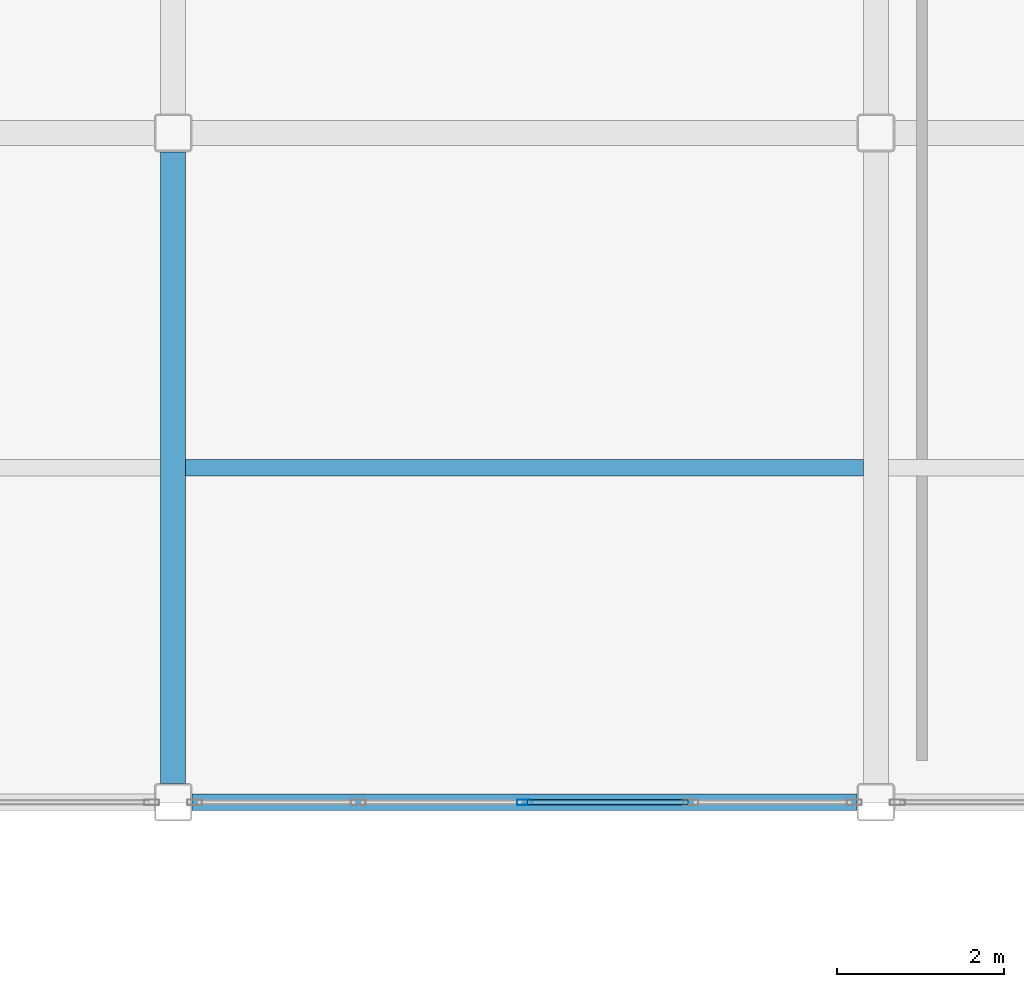
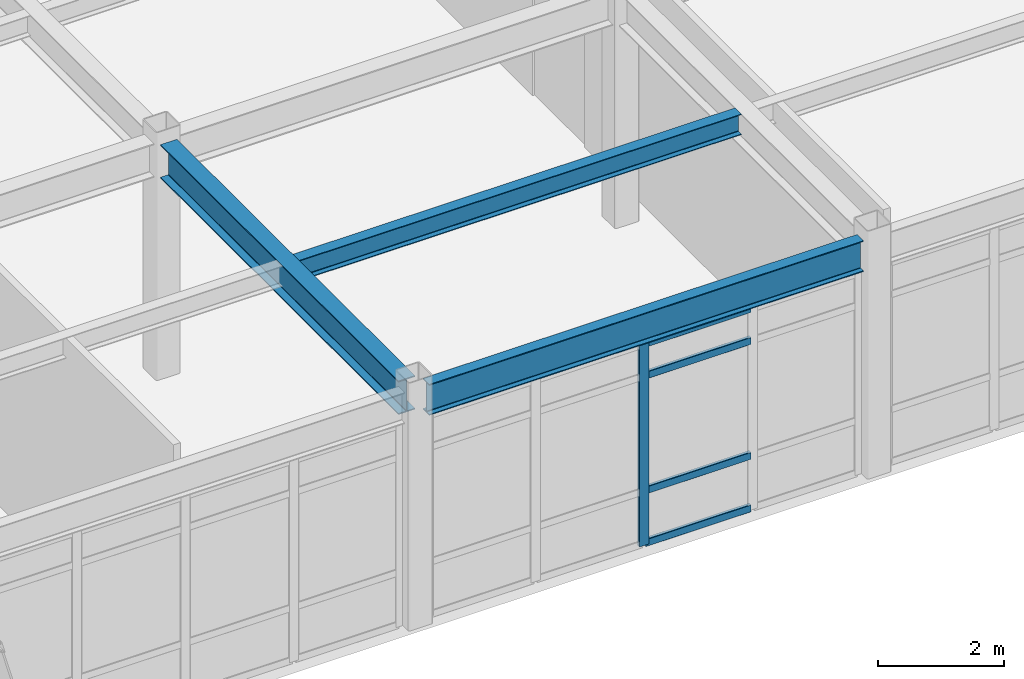
# One storey, part 78 of 172: 5 members, 3 beams, 1 element without a shape of its own.
"""IFC4 building model written with IfcOpenShell, lengths in metres."""

from ifc_helpers import new_model, si_unit, direction, frame, origin, origin_2d, place, context, subcontext, project, spatial, hollow_rectangle, i_section, extrude, material, layer, layer_set, material_profile, profile_set, type_object, element, aggregate, save


model = new_model("IFC4")

# Units and contexts
model_context = context("Model", 3, precision=1e-05, world=origin(), true_north=direction((0.0, 1.0)))
body_context = subcontext(model_context, "Body", "Model", "MODEL_VIEW")
ifc_project = project(units=[si_unit("LENGTHUNIT", "METRE"), si_unit("AREAUNIT", "SQUARE_METRE"), si_unit("VOLUMEUNIT", "CUBIC_METRE"), si_unit("PLANEANGLEUNIT", "RADIAN"), si_unit("MASSUNIT", "GRAM", prefix="KILO")], contexts=[model_context])

# Site, building, storey
site_placement = place(None, origin())
site = spatial("IfcSite", under=ifc_project, at=site_placement, CompositionType="ELEMENT")
building_placement = place(site_placement, origin())
building = spatial("IfcBuilding", under=site, at=building_placement, Name="Kazehara Bluff Congress Hotel", CompositionType="ELEMENT")
storey_placement = place(building_placement, frame((0.0, 0.0, 5.39990234375)))
storey = spatial("IfcBuildingStorey", under=building, at=storey_placement, Name="L01", CompositionType="ELEMENT", Elevation=5.39990234375)

# Curtain wall, members
ifc_material_1 = material(Name="Anodised aluminium", Category="aluminium")
ifc_layer = layer(ifc_material_1, 0.159912109375)
ifc_layer_set = layer_set([ifc_layer], Name="Anodised aluminium")
curtain_wall_type = type_object("IfcCurtainWallType", Name="TP-CW-37", PredefinedType="NOTDEFINED", material=ifc_layer_set)
curtain_wall_placement = place(storey_placement, origin())
curtain_wall = element("IfcCurtainWall", 1, at=curtain_wall_placement, inside=storey, type_object=curtain_wall_type, Name="L01 curtain wall CW-37 CW-V3-L01-Y8090-7628", PredefinedType="NOTDEFINED")
ifc_material_2 = material(Name="Anodised aluminium", Category="aluminium")
ifc_material_profile_1 = material_profile(ifc_material_2, hollow_rectangle(XDim=0.06494140625, YDim=0.179931640625, WallThickness=0.00390625, InnerFilletRadius=0.00390625, OuterFilletRadius=0.008056640625, at=origin_2d()))
ifc_profile_set_1 = profile_set([ifc_material_profile_1], Name="Anodised aluminium")
member_type_1 = type_object("IfcMemberType", Name="TP-CWM-02", PredefinedType="MULLION", material=ifc_profile_set_1)
member_1_placement = place(storey_placement, frame((80.25, 80.89990234375, 0.0), z_axis=(0.0, 0.0, 1.0), x_axis=(0.0, 1.0, 0.0)))
member_1 = element("IfcMember", 2, at=member_1_placement, type_object=member_type_1, Name="CW-37 mullion 3", PredefinedType="MULLION", context=body_context, shape_type="SweptSolid", body=[
    extrude(hollow_rectangle(XDim=0.06494140625, YDim=0.179931640625, WallThickness=0.00390625, InnerFilletRadius=0.00390625, OuterFilletRadius=0.008056640625, at=origin_2d()), origin(), (0.0, 0.0, 1.0), 3.925048828125),
])
ifc_material_3 = material(Name="Anodised aluminium", Category="aluminium")
ifc_material_profile_2 = material_profile(ifc_material_3, hollow_rectangle(XDim=0.06494140625, YDim=0.139892578125, WallThickness=0.00390625, InnerFilletRadius=0.00390625, OuterFilletRadius=0.008056640625, at=origin_2d()))
ifc_profile_set_2 = profile_set([ifc_material_profile_2], Name="Anodised aluminium")
member_type_2 = type_object("IfcMemberType", Name="TP-CWT-02", PredefinedType="USERDEFINED", material=ifc_profile_set_2)
member_2_placement = place(storey_placement, frame((80.282470703125, 80.89990234375, 0.03271484375), z_axis=(1.0, 0.0, 0.0), x_axis=(0.0, 1.0, 0.0)))
member_2 = element("IfcMember", 3, at=member_2_placement, type_object=member_type_2, Name="CW-37 transom 3.1", ObjectType="TRANSOM", PredefinedType="USERDEFINED", context=body_context, shape_type="SweptSolid", body=[
    extrude(hollow_rectangle(XDim=0.06494140625, YDim=0.139892578125, WallThickness=0.00390625, InnerFilletRadius=0.00390625, OuterFilletRadius=0.008056640625, at=origin_2d()), origin(), (0.0, 0.0, 1.0), 1.922607421875),
])
member_3_placement = place(storey_placement, frame((80.282470703125, 80.89990234375, 1.050048828125), z_axis=(1.0, 0.0, 0.0), x_axis=(0.0, 1.0, 0.0)))
member_3 = element("IfcMember", 4, at=member_3_placement, type_object=member_type_2, Name="CW-37 transom 3.2", ObjectType="TRANSOM", PredefinedType="USERDEFINED", context=body_context, shape_type="SweptSolid", body=[
    extrude(hollow_rectangle(XDim=0.06494140625, YDim=0.139892578125, WallThickness=0.00390625, InnerFilletRadius=0.00390625, OuterFilletRadius=0.008056640625, at=origin_2d()), origin(), (0.0, 0.0, 1.0), 1.922607421875),
])
member_4_placement = place(storey_placement, frame((80.282470703125, 80.89990234375, 3.275146484375), z_axis=(1.0, 0.0, 0.0), x_axis=(0.0, 1.0, 0.0)))
member_4 = element("IfcMember", 5, at=member_4_placement, type_object=member_type_2, Name="CW-37 transom 3.3", ObjectType="TRANSOM", PredefinedType="USERDEFINED", context=body_context, shape_type="SweptSolid", body=[
    extrude(hollow_rectangle(XDim=0.06494140625, YDim=0.139892578125, WallThickness=0.00390625, InnerFilletRadius=0.00390625, OuterFilletRadius=0.008056640625, at=origin_2d()), origin(), (0.0, 0.0, 1.0), 1.922607421875),
])
member_5_placement = place(storey_placement, frame((80.282470703125, 80.89990234375, 3.892578125), z_axis=(1.0, 0.0, 0.0), x_axis=(0.0, 1.0, 0.0)))
member_5 = element("IfcMember", 6, at=member_5_placement, type_object=member_type_2, Name="CW-37 transom 3.4", ObjectType="TRANSOM", PredefinedType="USERDEFINED", context=body_context, shape_type="SweptSolid", body=[
    extrude(hollow_rectangle(XDim=0.06494140625, YDim=0.139892578125, WallThickness=0.00390625, InnerFilletRadius=0.00390625, OuterFilletRadius=0.008056640625, at=origin_2d()), origin(), (0.0, 0.0, 1.0), 1.922607421875),
])
aggregate(curtain_wall, [member_1, member_2, member_3, member_4, member_5])

# Beams
ifc_material_4 = material(Name="Steel SN490B", Category="steel")
ifc_material_profile_3 = material_profile(ifc_material_4, i_section(OverallWidth=0.300048828125, OverallDepth=0.64990234375, WebThickness=0.011962890625, FlangeThickness=0.02001953125, FilletRadius=0.012939453125, at=origin_2d()))
ifc_profile_set_3 = profile_set([ifc_material_profile_3], Name="Steel SN490B")
beam_type_1 = type_object("IfcBeamType", Name="TP-G-03", PredefinedType="BEAM", material=ifc_profile_set_3)
beam_1_placement = place(storey_placement, frame((76.050048828125, 81.125, 4.22509765625), z_axis=(0.0, 1.0, 0.0), x_axis=(-1.0, 0.0, 0.0)))
element("IfcBeam", 7, at=beam_1_placement, inside=storey, type_object=beam_type_1, Name="L01 girder G-03 107", PredefinedType="BEAM", context=body_context, shape_type="SweptSolid", body=[
    extrude(i_section(OverallWidth=0.300048828125, OverallDepth=0.64990234375, WebThickness=0.011962890625, FlangeThickness=0.02001953125, FilletRadius=0.012939453125, at=origin_2d()), origin(), (0.0, 0.0, 1.0), 7.550048828125),
])
ifc_material_5 = material(Name="Steel SN400B", Category="steel")
ifc_material_profile_4 = material_profile(ifc_material_5, i_section(OverallWidth=0.199951171875, OverallDepth=0.39990234375, WebThickness=0.008056640625, FlangeThickness=0.012939453125, FilletRadius=0.012939453125, at=origin_2d()))
ifc_profile_set_4 = profile_set([ifc_material_profile_4], Name="Steel SN400B")
beam_type_2 = type_object("IfcBeamType", Name="TP-J-03", PredefinedType="JOIST", material=ifc_profile_set_4)
beam_2_placement = place(storey_placement, frame((76.199951171875, 84.89990234375, 4.35009765625), z_axis=(1.0, 0.0, 0.0), x_axis=(0.0, 1.0, 0.0)))
element("IfcBeam", 8, at=beam_2_placement, inside=storey, type_object=beam_type_2, Name="L01 secondary joist J-03 21", PredefinedType="JOIST", context=body_context, shape_type="SweptSolid", body=[
    extrude(i_section(OverallWidth=0.199951171875, OverallDepth=0.39990234375, WebThickness=0.008056640625, FlangeThickness=0.012939453125, FilletRadius=0.012939453125, at=origin_2d()), origin(), (0.0, 0.0, 1.0), 8.10009765625),
])
ifc_material_6 = material(Name="Steel SN490B", Category="steel")
ifc_material_profile_5 = material_profile(ifc_material_6, i_section(OverallWidth=0.199951171875, OverallDepth=0.60009765625, WebThickness=0.010986328125, FlangeThickness=0.01708984375, FilletRadius=0.012939453125, at=origin_2d()))
ifc_profile_set_5 = profile_set([ifc_material_profile_5], Name="Steel SN490B")
beam_type_3 = type_object("IfcBeamType", Name="TP-SP-02", PredefinedType="SPANDREL", material=ifc_profile_set_5)
beam_3_placement = place(storey_placement, frame((76.27490234375, 80.89990234375, 4.25), z_axis=(1.0, 0.0, 0.0), x_axis=(0.0, 1.0, 0.0)))
element("IfcBeam", 9, at=beam_3_placement, inside=storey, type_object=beam_type_3, Name="L01 girder SP-02 125", PredefinedType="SPANDREL", context=body_context, shape_type="SweptSolid", body=[
    extrude(i_section(OverallWidth=0.199951171875, OverallDepth=0.60009765625, WebThickness=0.010986328125, FlangeThickness=0.01708984375, FilletRadius=0.012939453125, at=origin_2d()), origin(), (0.0, 0.0, 1.0), 7.9501953125),
])

save(model, "model.ifc")
